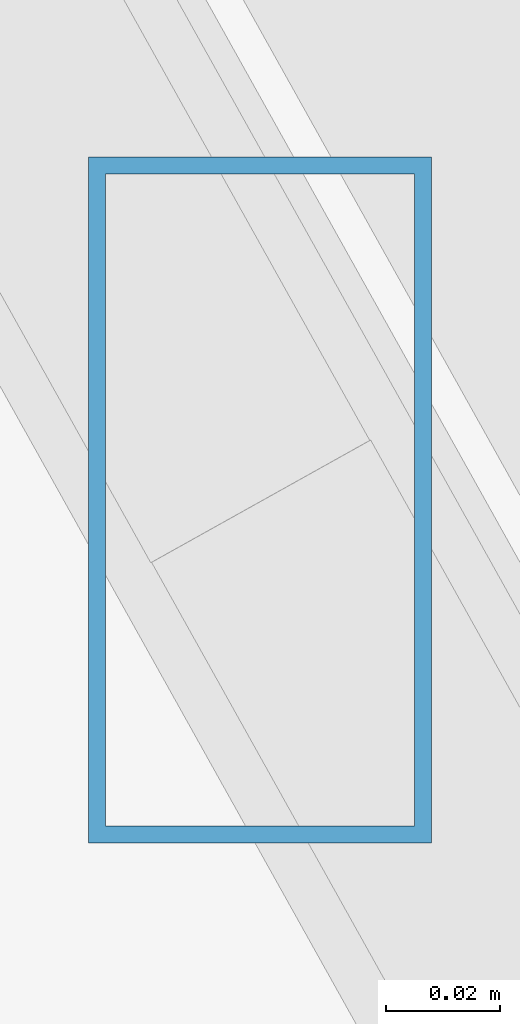
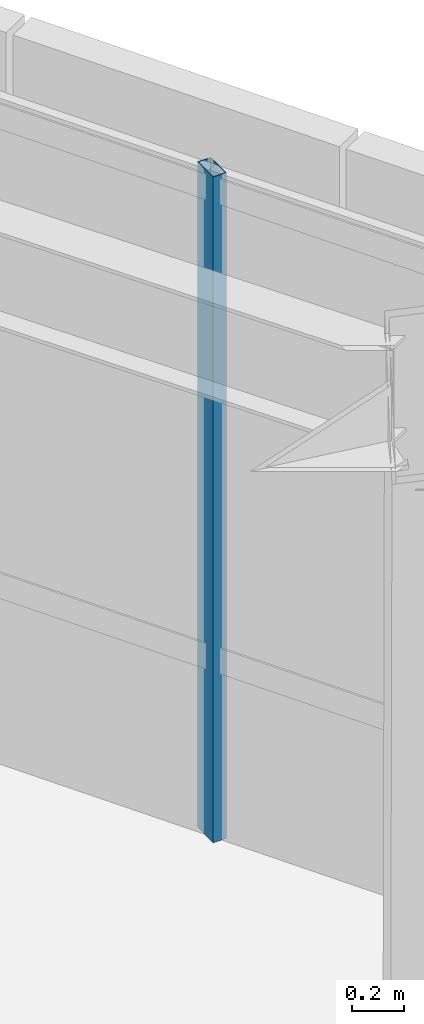
# One storey, part 25 of 47: 1 member, 1 element without a shape of its own.
"""IFC4 building model written with IfcOpenShell, lengths in metres."""

from ifc_helpers import new_model, si_unit, direction, frame, origin, origin_2d, place, context, subcontext, project, spatial, hollow_rectangle, extrude, source, transform, mapped, material, material_profile, profile_set, type_object, type_shapes, element, aggregate, save


model = new_model("IFC4")

# Units and contexts
model_context = context("Model", 3, precision=1e-05, world=origin(), true_north=direction((0.0, 1.0)))
body_context = subcontext(model_context, "Body", "Model", "MODEL_VIEW")
ifc_project = project(units=[si_unit("LENGTHUNIT", "METRE"), si_unit("AREAUNIT", "SQUARE_METRE"), si_unit("VOLUMEUNIT", "CUBIC_METRE"), si_unit("PLANEANGLEUNIT", "RADIAN"), si_unit("MASSUNIT", "GRAM", prefix="KILO")], contexts=[model_context])

# Site, building, storey
site_placement = place(None, origin())
site = spatial("IfcSite", under=ifc_project, at=site_placement, CompositionType="ELEMENT")
building_placement = place(site_placement, origin())
building = spatial("IfcBuilding", under=site, at=building_placement, Name="Caelisora Broadcast Tower", CompositionType="ELEMENT")
storey_placement = place(building_placement, frame((0.0, 0.0, 293.199951171875)))
storey = spatial("IfcBuildingStorey", under=building, at=storey_placement, Name="L77", CompositionType="ELEMENT", Elevation=293.199951171875)

# Curtain wall, member
ifc_material_1 = material(Name="Unitised Aluminium Insulated Shadow-Box Spandrel Curtain Wall", Category="aluminium")
curtain_wall_type = type_object("IfcCurtainWallType", Name="CW-SP3", PredefinedType="NOTDEFINED", material=ifc_material_1)
curtain_wall_placement = place(storey_placement, origin())
curtain_wall = element("IfcCurtainWall", 1, at=curtain_wall_placement, inside=storey, type_object=curtain_wall_type, Name="L77 curtain wall CW-SP3", PredefinedType="NOTDEFINED")
ifc_material_2 = material(Name="Aluminium 6063-T6 Anodised Terracotta Bronze", Category="aluminium")
ifc_material_profile = material_profile(ifc_material_2, hollow_rectangle(XDim=0.06005859375, YDim=0.1201171875, WallThickness=0.0029296875, at=origin_2d()), Name="Aluminium 6063-T6 Anodised Terracotta Bronze")
ifc_profile_set = profile_set([ifc_material_profile], Name="Aluminium 6063-T6 Anodised Terracotta Bronze")
member_type = type_object("IfcMemberType", Name="CWM-04", PredefinedType="MULLION", material=ifc_profile_set)
shared_shape = source(origin(), body_context, "Body", "SweptSolid", [
    extrude(hollow_rectangle(XDim=0.06005859375, YDim=0.1201171875, WallThickness=0.0029296875, at=origin_2d()), origin(), (0.0, 0.0, 1.0), 3.150146484375),
])
type_shapes(member_type, [shared_shape])
member_placement = place(storey_placement, frame((59.0341796875, 16.7080078125, 0.0), z_axis=(0.0, 0.0, 1.0), x_axis=(1.0, 0.0, 0.0)))
member = element("IfcMember", 2, at=member_placement, type_object=member_type, Name="L77-CW-B03 mullion #2", PredefinedType="MULLION", context=body_context, shape_type="MappedRepresentation", body=[
    mapped(shared_shape, transform((0.0, 0.0, 0.0), scale=1.0)),
])
aggregate(curtain_wall, [member])

save(model, "model.ifc")
